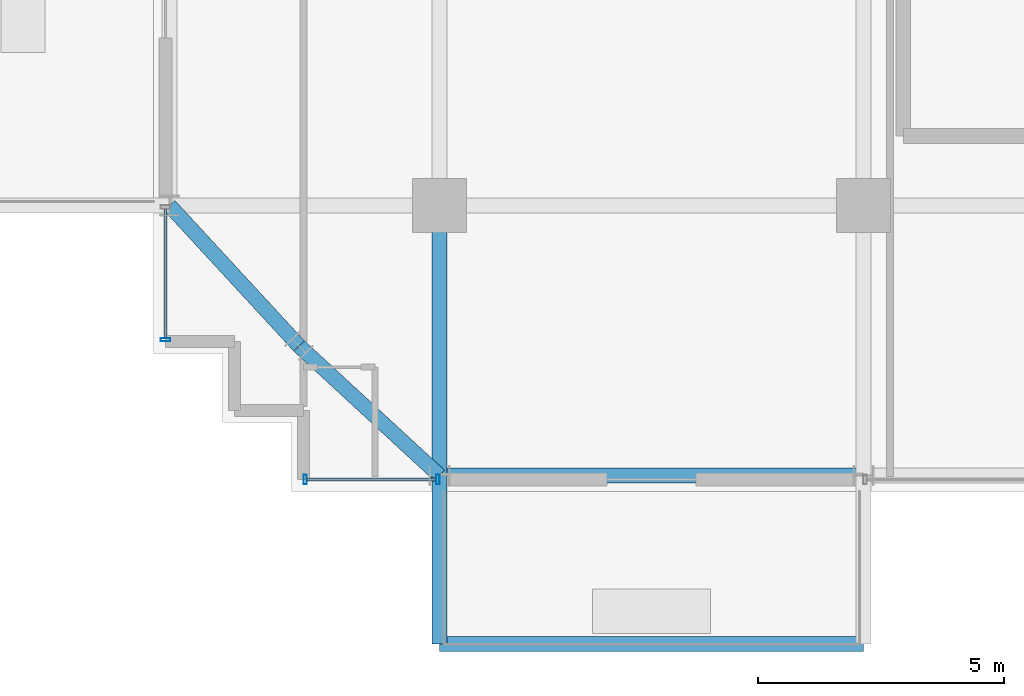
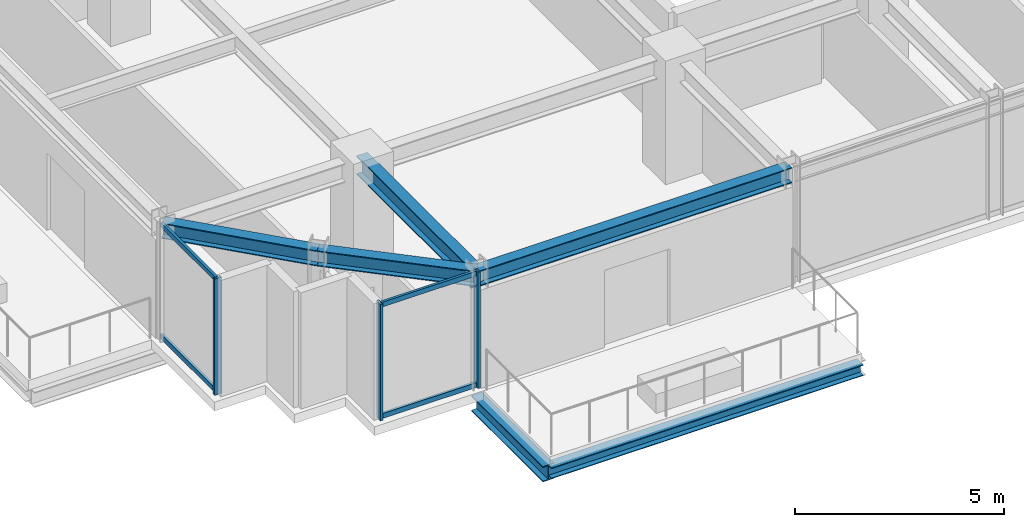
# One storey, part 2 of 36: 7 members, 6 beams, 2 elements without a shape of their own.
"""IFC4 building model written with IfcOpenShell, lengths in metres."""

from ifc_helpers import new_model, si_unit, direction, frame, origin, origin_2d, place, context, subcontext, project, spatial, hollow_rectangle, i_section, extrude, source, transform, mapped, material, material_profile, profile_set, type_object, element, aggregate, save


model = new_model("IFC4")

# Units and contexts
model_context = context("Model", 3, precision=1e-05, world=origin(), true_north=direction((0.0, 1.0)))
body_context = subcontext(model_context, "Body", "Model", "MODEL_VIEW")
ifc_project = project(units=[si_unit("LENGTHUNIT", "METRE"), si_unit("AREAUNIT", "SQUARE_METRE"), si_unit("VOLUMEUNIT", "CUBIC_METRE"), si_unit("PLANEANGLEUNIT", "RADIAN"), si_unit("MASSUNIT", "GRAM", prefix="KILO")], contexts=[model_context])

# Site, building, storey
site_placement = place(None, origin())
site = spatial("IfcSite", under=ifc_project, at=site_placement, CompositionType="ELEMENT")
building_placement = place(site_placement, origin())
building = spatial("IfcBuilding", under=site, at=building_placement, Name="Nahalor Promenade Grand Hotel", CompositionType="ELEMENT")
storey_placement = place(building_placement, frame((0.0, 0.0, 170.89990234375)))
storey = spatial("IfcBuildingStorey", under=building, at=storey_placement, Name="L43", CompositionType="ELEMENT", Elevation=170.89990234375)

# Beams
ifc_material_1 = material(Name="Steel S355JR", Category="steel")
ifc_material_profile_1 = material_profile(ifc_material_1, i_section(OverallWidth=0.3, OverallDepth=0.32, WebThickness=0.0115, FlangeThickness=0.0205, at=origin_2d()), Name="HEB 320")
ifc_profile_set_1 = profile_set([ifc_material_profile_1], Name="Steel S355JR")
beam_type_1 = type_object("IfcBeamType", Name="Beam-BalcEdge-HEB320", PredefinedType="SPANDREL", material=ifc_profile_set_1)
shared_shape_1 = source(origin(), body_context, "Body", "SweptSolid", [
    extrude(i_section(OverallWidth=0.3, OverallDepth=0.32, WebThickness=0.0115, FlangeThickness=0.0205, at=origin_2d()), origin(), (0.0, 0.0, 1.0), 8.60009765625),
])
beam_1_placement = place(storey_placement, frame((-17.0, -25.89990234375, -0.43994140625), z_axis=(1.0, 0.0, 0.0), x_axis=(0.0, 1.0, 0.0)))
element("IfcBeam", 1, at=beam_1_placement, inside=storey, type_object=beam_type_1, Name="BM-L43-BC-01-F", PredefinedType="SPANDREL", context=body_context, shape_type="MappedRepresentation", body=[
    mapped(shared_shape_1, transform((0.0, 0.0, 0.0), scale=1.0)),
])
ifc_material_profile_2 = material_profile(ifc_material_1, i_section(OverallWidth=0.3, OverallDepth=0.45, WebThickness=0.014, FlangeThickness=0.026, at=origin_2d()), Name="HEB 450")
ifc_profile_set_2 = profile_set([ifc_material_profile_2], Name="Steel S355JR")
beam_type_2 = type_object("IfcBeamType", Name="Beam-Outrigger-HEB450", PredefinedType="BEAM", material=ifc_profile_set_2)
shared_shape_2 = source(origin(), body_context, "Body", "SweptSolid", [
    extrude(i_section(OverallWidth=0.3, OverallDepth=0.45, WebThickness=0.014, FlangeThickness=0.026, at=origin_2d()), origin(), (0.0, 0.0, 1.0), 3.419921875),
])
beam_2_placement = place(storey_placement, frame((-17.0, -25.89990234375, -0.5048828125), z_axis=(0.0, 1.0, 0.0), x_axis=(-1.0, 0.0, 0.0)))
element("IfcBeam", 2, at=beam_2_placement, inside=storey, type_object=beam_type_2, Name="BM-L43-BC-01-1", PredefinedType="BEAM", context=body_context, shape_type="MappedRepresentation", body=[
    mapped(shared_shape_2, transform((0.0, 0.0, 0.0), scale=1.0)),
])
ifc_material_profile_3 = material_profile(ifc_material_1, i_section(OverallWidth=0.3, OverallDepth=0.55, WebThickness=0.015, FlangeThickness=0.029, at=origin_2d()), Name="HEB 550")
ifc_profile_set_3 = profile_set([ifc_material_profile_3], Name="Steel S355JR")
beam_type_3 = type_object("IfcBeamType", Name="Beam-Girder-HEB550", PredefinedType="BEAM", material=ifc_profile_set_3)
shared_shape_3 = source(origin(), body_context, "Body", "SweptSolid", [
    extrude(i_section(OverallWidth=0.3, OverallDepth=0.55, WebThickness=0.015, FlangeThickness=0.029, at=origin_2d()), origin(), (0.0, 0.0, 1.0), 5.47998046875),
])
beam_3_placement = place(storey_placement, frame((-17.0, -22.47998046875, 3.114990234375), z_axis=(0.0, 1.0, 0.0), x_axis=(-1.0, 0.0, 0.0)))
element("IfcBeam", 3, at=beam_3_placement, inside=storey, type_object=beam_type_3, Name="BM-L43-GY-0-0", PredefinedType="BEAM", context=body_context, shape_type="MappedRepresentation", body=[
    mapped(shared_shape_3, transform((0.0, 0.0, 0.0), scale=1.0)),
])
ifc_material_profile_4 = material_profile(ifc_material_1, i_section(OverallWidth=0.3, OverallDepth=0.45, WebThickness=0.014, FlangeThickness=0.026, at=origin_2d()), Name="HEB 450")
ifc_profile_set_4 = profile_set([ifc_material_profile_4], Name="Steel S355JR")
beam_type_4 = type_object("IfcBeamType", Name="Beam-Spandrel-HEB450", PredefinedType="SPANDREL", material=ifc_profile_set_4)
shared_shape_4 = source(origin(), body_context, "Body", "SweptSolid", [
    extrude(i_section(OverallWidth=0.3, OverallDepth=0.45, WebThickness=0.014, FlangeThickness=0.026, at=origin_2d()), origin(), (0.0, 0.0, 1.0), 8.60009765625),
])
beam_4_placement = place(storey_placement, frame((-17.0, -22.47998046875, 3.1650390625), z_axis=(1.0, 0.0, 0.0), x_axis=(0.0, 1.0, 0.0)))
element("IfcBeam", 4, at=beam_4_placement, inside=storey, type_object=beam_type_4, Name="BM-L43-SP-S-0", PredefinedType="SPANDREL", context=body_context, shape_type="MappedRepresentation", body=[
    mapped(shared_shape_4, transform((0.0, 0.0, 0.0), scale=1.0)),
])
shared_shape_5 = source(origin(), body_context, "Body", "SweptSolid", [
    extrude(i_section(OverallWidth=0.3, OverallDepth=0.45, WebThickness=0.014, FlangeThickness=0.026, at=origin_2d()), origin(), (0.0, 0.0, 1.0), 3.878173828125),
])
for number, where, z_axis, x_axis, name in (
    (5, (-17.0, -22.47998046875, 3.1650390625), (-0.73492893846, 0.678144125843, 0.0), (-0.678144125843, -0.73492893846, 0.0), "BM-L43-SPC-SW-1"),
    (6, (-19.85009765625, -19.85009765625, 3.1650390625), (-0.678144125843, 0.73492893846, 0.0), (-0.73492893846, -0.678144125843, 0.0), "BM-L43-SPC-SW-2"),
):
    element("IfcBeam", number, at=place(storey_placement, frame(where, z_axis=z_axis, x_axis=x_axis)), inside=storey, type_object=beam_type_4, Name=name, PredefinedType="SPANDREL", context=body_context, shape_type="MappedRepresentation", body=[
        mapped(shared_shape_5, transform((0.0, 0.0, 0.0), scale=1.0)),
    ])

# Curtain wall, members
ifc_material_2 = material(Name="Anodised Bronze Aluminium EN AW-6063 T6", Category="aluminium")
curtain_wall_type = type_object("IfcCurtainWallType", Name="CW3 Elliptical-Void Collar Unitised Curtain Wall", PredefinedType="USERDEFINED", material=ifc_material_2)
curtain_wall_1_placement = place(storey_placement, origin())
curtain_wall_1 = element("IfcCurtainWall", 7, at=curtain_wall_1_placement, inside=storey, type_object=curtain_wall_type, Name="L43 Curtain Wall CW-L43-S-1", ObjectType="UNITISED_CURTAIN_WALL", PredefinedType="USERDEFINED")
ifc_material_profile_5 = material_profile(ifc_material_2, hollow_rectangle(XDim=0.07, YDim=0.2, WallThickness=0.005, at=origin_2d()), Name="CWM 70x200x5")
ifc_profile_set_5 = profile_set([ifc_material_profile_5], Name="Anodised Bronze Aluminium EN AW-6063 T6")
member_type_1 = type_object("IfcMemberType", Name="CWM3 Void Collar Mullion 70x200", PredefinedType="MULLION", material=ifc_profile_set_5)
shared_shape_6 = source(origin(), body_context, "Body", "SweptSolid", [
    extrude(hollow_rectangle(XDim=0.07, YDim=0.2, WallThickness=0.005, at=origin_2d()), origin(), (0.0, 0.0, 1.0), 3.39013671875),
])
member_1_placement = place(storey_placement, frame((-19.72509765625, -22.56005859375, 0.0), z_axis=(0.0, 0.0, 1.0), x_axis=(1.0, 0.0, 0.0)))
member_1 = element("IfcMember", 8, at=member_1_placement, type_object=member_type_1, Name="CW-L43-S-1 Mullion 0", PredefinedType="MULLION", context=body_context, shape_type="MappedRepresentation", body=[
    mapped(shared_shape_6, transform((0.0, 0.0, 0.0), scale=1.0)),
])
member_2_placement = place(storey_placement, frame((-17.034912109375, -22.56005859375, 0.0), z_axis=(0.0, 0.0, 1.0), x_axis=(1.0, 0.0, 0.0)))
member_2 = element("IfcMember", 9, at=member_2_placement, type_object=member_type_1, Name="CW-L43-S-1 Mullion 1", PredefinedType="MULLION", context=body_context, shape_type="MappedRepresentation", body=[
    mapped(shared_shape_6, transform((0.0, 0.0, 0.0), scale=1.0)),
])

# Curtain wall, member
curtain_wall_2_placement = place(storey_placement, origin())
curtain_wall_2 = element("IfcCurtainWall", 10, at=curtain_wall_2_placement, inside=storey, type_object=curtain_wall_type, Name="L43 Curtain Wall CW-L43-W-1", ObjectType="UNITISED_CURTAIN_WALL", PredefinedType="USERDEFINED")
member_3_placement = place(storey_placement, frame((-22.56005859375, -19.72509765625, 0.0), z_axis=(0.0, 0.0, 1.0), x_axis=(0.0, 1.0, 0.0)))
member_3 = element("IfcMember", 11, at=member_3_placement, type_object=member_type_1, Name="CW-L43-W-1 Mullion 0", PredefinedType="MULLION", context=body_context, shape_type="MappedRepresentation", body=[
    mapped(shared_shape_6, transform((0.0, 0.0, 0.0), scale=1.0)),
])

# Member
ifc_material_profile_6 = material_profile(ifc_material_2, hollow_rectangle(XDim=0.07, YDim=0.14, WallThickness=0.004, at=origin_2d()), Name="CWT 70x140x4")
ifc_profile_set_6 = profile_set([ifc_material_profile_6], Name="Anodised Bronze Aluminium EN AW-6063 T6")
member_type_2 = type_object("IfcMemberType", Name="CWT3 Void Collar Transom 70x140", PredefinedType="USERDEFINED", material=ifc_profile_set_6)
shared_shape_7 = source(origin(), body_context, "Body", "SweptSolid", [
    extrude(hollow_rectangle(XDim=0.07, YDim=0.14, WallThickness=0.004, at=origin_2d()), origin(), (0.0, 0.0, 1.0), 2.619873046875),
])
member_4_placement = place(storey_placement, frame((-19.68994140625, -22.56005859375, 0.070068359375), z_axis=(1.0, 0.0, 0.0), x_axis=(0.0, 1.0, 0.0)))
member_4 = element("IfcMember", 12, at=member_4_placement, type_object=member_type_2, Name="CW-L43-S-1 Transom 0-0", ObjectType="TRANSOM", PredefinedType="USERDEFINED", context=body_context, shape_type="MappedRepresentation", body=[
    mapped(shared_shape_7, transform((0.0, 0.0, 0.0), scale=1.0)),
])

member_5_placement = place(storey_placement, frame((-19.68994140625, -22.56005859375, 3.320068359375), z_axis=(1.0, 0.0, 0.0), x_axis=(0.0, 1.0, 0.0)))
member_5 = element("IfcMember", 13, at=member_5_placement, type_object=member_type_2, Name="CW-L43-S-1 Transom 0-1", ObjectType="TRANSOM", PredefinedType="USERDEFINED", context=body_context, shape_type="MappedRepresentation", body=[
    mapped(shared_shape_7, transform((0.0, 0.0, 0.0), scale=1.0)),
])

aggregate(curtain_wall_1, [member_1, member_2, member_4, member_5])

member_6_placement = place(storey_placement, frame((-22.56005859375, -19.68994140625, 0.070068359375), z_axis=(0.0, 1.0, 0.0), x_axis=(-1.0, 0.0, 0.0)))
member_6 = element("IfcMember", 14, at=member_6_placement, type_object=member_type_2, Name="CW-L43-W-1 Transom 0-0", ObjectType="TRANSOM", PredefinedType="USERDEFINED", context=body_context, shape_type="MappedRepresentation", body=[
    mapped(shared_shape_7, transform((0.0, 0.0, 0.0), scale=1.0)),
])

member_7_placement = place(storey_placement, frame((-22.56005859375, -19.68994140625, 3.320068359375), z_axis=(0.0, 1.0, 0.0), x_axis=(-1.0, 0.0, 0.0)))
member_7 = element("IfcMember", 15, at=member_7_placement, type_object=member_type_2, Name="CW-L43-W-1 Transom 0-1", ObjectType="TRANSOM", PredefinedType="USERDEFINED", context=body_context, shape_type="MappedRepresentation", body=[
    mapped(shared_shape_7, transform((0.0, 0.0, 0.0), scale=1.0)),
])

aggregate(curtain_wall_2, [member_3, member_6, member_7])

save(model, "model.ifc")
